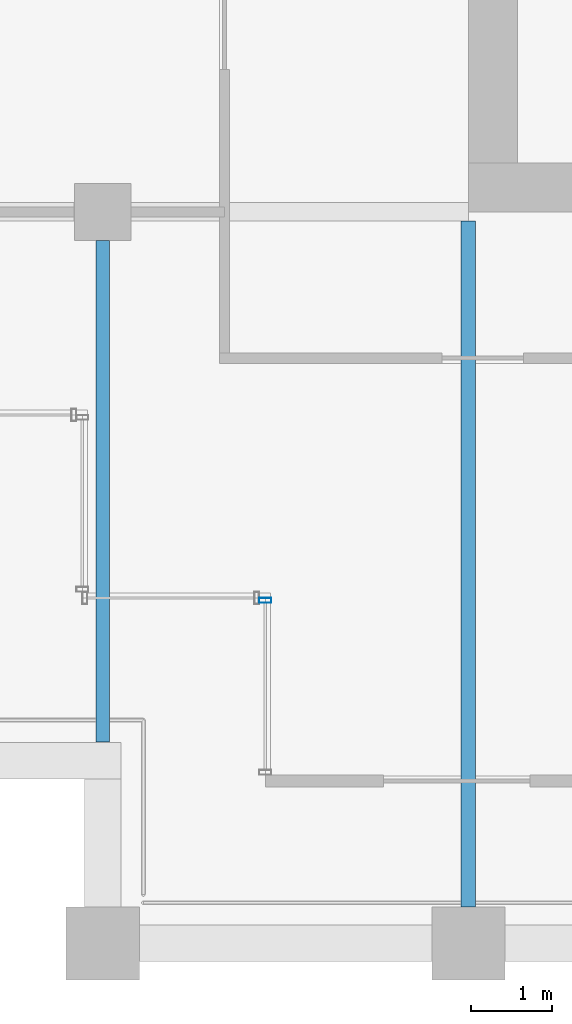
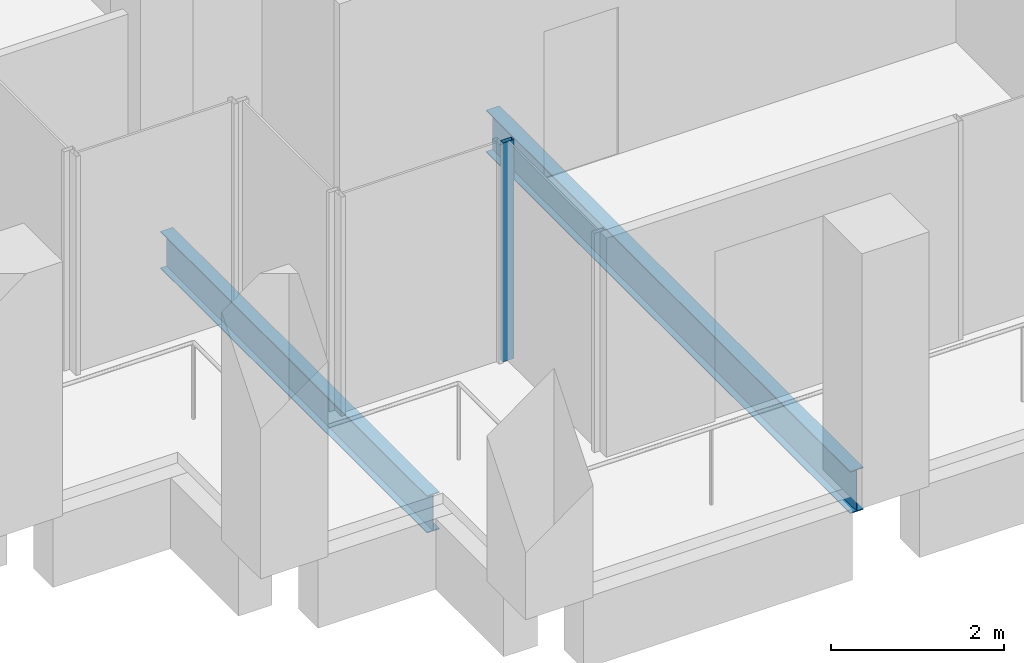
# One storey, part 29 of 40: 2 beams, 1 member, 1 element without a shape of its own.
"""IFC4 building model written with IfcOpenShell, lengths in metres."""

import ifcopenshell
import ifcopenshell.guid

model = None  # the IFC model being written
_history = None  # IfcOwnerHistory: only IFC2X3 demands one
_inside = {}  # id of a spatial element -> (the spatial element, [elements in it])
_under = {}  # id of a project, library or spatial element -> (it, [spatial elements below it])
_declared = {}  # id of a project -> (the project, [libraries it declares])
_typed = {}  # id of a type object -> (the type object, [elements of that type])
_made_of = {}  # id of a material, layer set ... -> (it, [elements and type objects made of it])


def new_model(schema):
    """Start an empty IFC model of exactly this schema.

    Asked for "IFC4X3", IfcOpenShell would pick the latest addendum, in which some entities
    have other attributes; the version numbers below select the first issue.
    IFC2X3 requires an IfcOwnerHistory on every rooted entity: one is made here for all.
    """
    global model, _history
    if schema == "IFC4X3":
        model = ifcopenshell.file(schema_version=(4, 3, 0, 0))
    else:
        model = ifcopenshell.file(schema=schema)
    _inside.clear()
    _under.clear()
    _declared.clear()
    _typed.clear()
    _made_of.clear()
    _history = None
    if model.schema == "IFC2X3":
        org = make("IfcOrganization", Name="unknown")
        user = make(
            "IfcPersonAndOrganization",
            ThePerson=make("IfcPerson", FamilyName="unknown"),
            TheOrganization=org,
        )
        app = make(
            "IfcApplication",
            ApplicationDeveloper=org,
            Version="unknown",
            ApplicationFullName="unknown",
            ApplicationIdentifier="unknown",
        )
        _history = make(
            "IfcOwnerHistory",
            OwningUser=user,
            OwningApplication=app,
            ChangeAction="ADDED",
            CreationDate=0,
        )
    return model


def make(cls, **values):
    """One entity of the class cls with the attributes given. An attribute that is None is left unset."""
    return model.create_entity(
        cls, **{name: value for name, value in values.items() if value is not None}
    )


def rooted(cls, **values):
    """An entity with a GlobalId (a new one), such as an element, a storey or a relation."""
    return make(cls, GlobalId=ifcopenshell.guid.new(), OwnerHistory=_history, **values)


def si_unit(unit_type, name, prefix=None):
    """IfcSIUnit, for example si_unit("LENGTHUNIT", "METRE", prefix="MILLI")."""
    return make("IfcSIUnit", UnitType=unit_type, Prefix=prefix, Name=name)


def assignment(units):
    """IfcUnitAssignment: the units of a project."""
    return None if units is None else make("IfcUnitAssignment", Units=units)


def point(xyz):
    """IfcCartesianPoint."""
    return None if xyz is None else make("IfcCartesianPoint", Coordinates=xyz)


def direction(xyz):
    """IfcDirection."""
    return None if xyz is None else make("IfcDirection", DirectionRatios=xyz)


def frame(location, z_axis=None, x_axis=None):
    """IfcAxis2Placement3D, a coordinate frame: its origin and axes. An axis left out is left unset."""
    return make(
        "IfcAxis2Placement3D",
        Location=point(location),
        Axis=direction(z_axis),
        RefDirection=direction(x_axis),
    )


def frame_2d(location, x_axis=None):
    """IfcAxis2Placement2D, a coordinate frame in the plane: its origin and x axis."""
    return make(
        "IfcAxis2Placement2D", Location=point(location), RefDirection=direction(x_axis)
    )


def origin():
    """The frame at (0, 0, 0) with its axes left unset."""
    return frame((0.0, 0.0, 0.0))


def origin_2d():
    """The frame at (0, 0) in the plane with its x axis left unset."""
    return frame_2d((0.0, 0.0))


def place(relative_to, where):
    """IfcLocalPlacement: puts the frame where relative to a parent placement (None: the world)."""
    return make(
        "IfcLocalPlacement", PlacementRelTo=relative_to, RelativePlacement=where
    )


def context(
    kind, dimensions, precision=None, world=None, true_north=None, identifier=None
):
    """IfcGeometricRepresentationContext, for example the 3D "Model" context."""
    return make(
        "IfcGeometricRepresentationContext",
        ContextIdentifier=identifier,
        ContextType=kind,
        CoordinateSpaceDimension=dimensions,
        Precision=precision,
        WorldCoordinateSystem=world,
        TrueNorth=true_north,
    )


def subcontext(parent, identifier, kind, view, scale=None):
    """IfcGeometricRepresentationSubContext, for example "Body" below "Model"."""
    return make(
        "IfcGeometricRepresentationSubContext",
        ContextIdentifier=identifier,
        ContextType=kind,
        ParentContext=parent,
        TargetScale=scale,
        TargetView=view,
    )


def project(units=None, contexts=None):
    """IfcProject with its units and contexts."""
    return rooted(
        "IfcProject",
        Name="project",
        RepresentationContexts=contexts,
        UnitsInContext=assignment(units),
    )


def spatial(cls, under=None, at=None, **own):
    """A site, building, storey or space (cls), placed at a placement, below another one or the project."""
    s = rooted(cls, ObjectPlacement=at, **own)
    if under is not None:
        _under.setdefault(under.id(), (under, []))[1].append(s)
    return s


def profile(cls, at=None, kind="AREA", **sizes):
    """A parametric profile (cls). Its sizes go by their IFC names, for example OverallWidth=200.0."""
    return make(cls, ProfileType=kind, Position=at, **sizes)


def hollow_rectangle(**sizes):
    """IfcRectangleHollowProfileDef."""
    return profile("IfcRectangleHollowProfileDef", **sizes)


def i_section(**sizes):
    """IfcIShapeProfileDef."""
    return profile("IfcIShapeProfileDef", **sizes)


def extrude(swept, where, along, depth):
    """IfcExtrudedAreaSolid: the profile swept, set in the frame where, extruded along a direction by depth."""
    return make(
        "IfcExtrudedAreaSolid",
        SweptArea=swept,
        Position=where,
        ExtrudedDirection=direction(along),
        Depth=depth,
    )


def shape(context_of_items, identifier, shape_type, items):
    """IfcShapeRepresentation: the items that make up one representation, for example the "Body"."""
    return make(
        "IfcShapeRepresentation",
        ContextOfItems=context_of_items,
        RepresentationIdentifier=identifier,
        RepresentationType=shape_type,
        Items=items,
    )


def material(Name=None, Category=None):
    """IfcMaterial."""
    return make("IfcMaterial", Name=Name, Category=Category)


def material_profile(
    of_material, cross_section, Name=None, Category=None, Priority=None
):
    """IfcMaterialProfile: a cross section and its material."""
    return make(
        "IfcMaterialProfile",
        Name=Name,
        Material=of_material,
        Profile=cross_section,
        Priority=Priority,
        Category=Category,
    )


def profile_set(profiles, Name=None, composite=None):
    """IfcMaterialProfileSet."""
    return make(
        "IfcMaterialProfileSet",
        Name=Name,
        MaterialProfiles=profiles,
        CompositeProfile=composite,
    )


def made_of(thing, what):
    """Note that an element or type object is made of a material, layer set ...; save() writes the relation."""
    if what is not None:
        _made_of.setdefault(what.id(), (what, []))[1].append(thing)
    return thing


def type_object(cls, material=None, **own):
    """A type object (cls), such as IfcWallType, which elements share."""
    return made_of(rooted(cls, **own), material)


def element(
    cls,
    number,
    at=None,
    inside=None,
    cuts=None,
    type_object=None,
    material=None,
    context=None,
    identifier="Body",
    shape_type=None,
    held_by="IfcProductDefinitionShape",
    body=None,
    shapes=None,
    **own,
):
    """One element of the class cls, such as IfcWall. Its Tag is "e" and its number.

    at: its placement. inside: the storey or other place that contains it. cuts: it is an
    opening in that element (IfcRelVoidsElement). A single representation is given by context,
    identifier, shape_type and body (its items); several are given by shapes. held_by: the class
    of the entity that holds the representations. save() writes the other relations.
    """
    e = rooted(cls, Tag="e%d" % number, ObjectPlacement=at, **own)
    if body is not None:
        shapes = [shape(context, identifier, shape_type, body)]
    if shapes is not None:
        e.Representation = make(held_by, Representations=shapes)
    if inside is not None:
        _inside.setdefault(inside.id(), (inside, []))[1].append(e)
    if cuts is not None:
        rooted(
            "IfcRelVoidsElement", RelatingBuildingElement=cuts, RelatedOpeningElement=e
        )
    if type_object is not None:
        _typed.setdefault(type_object.id(), (type_object, []))[1].append(e)
    return made_of(e, material)


def aggregate(whole, parts):
    """IfcRelAggregates: a whole, such as a stair, and the parts it consists of."""
    return rooted("IfcRelAggregates", RelatingObject=whole, RelatedObjects=parts)


def save(model, path):
    """Write the relations noted so far, then the file.

    IfcRelAggregates (storeys below a building ...), IfcRelContainedInSpatialStructure (elements
    in a storey), IfcRelDefinesByType, IfcRelAssociatesMaterial and IfcRelDeclares: one each for
    every whole, place, type object, material and project.
    """
    for whole, parts in _under.values():
        aggregate(whole, parts)
    for where, things in _inside.values():
        rooted(
            "IfcRelContainedInSpatialStructure",
            RelatedElements=things,
            RelatingStructure=where,
        )
    for kind, things in _typed.values():
        rooted("IfcRelDefinesByType", RelatedObjects=things, RelatingType=kind)
    for what, things in _made_of.values():
        rooted("IfcRelAssociatesMaterial", RelatedObjects=things, RelatingMaterial=what)
    for by, libraries in _declared.values():
        rooted("IfcRelDeclares", RelatingContext=by, RelatedDefinitions=libraries)
    model.write(path)


model = new_model("IFC4")

# Units and contexts
model_context = context("Model", 3, precision=1e-05, world=origin(), true_north=direction((0.0, 1.0)))
body_context = subcontext(model_context, "Body", "Model", "MODEL_VIEW")
ifc_project = project(units=[si_unit("LENGTHUNIT", "METRE"), si_unit("AREAUNIT", "SQUARE_METRE"), si_unit("VOLUMEUNIT", "CUBIC_METRE"), si_unit("PLANEANGLEUNIT", "RADIAN"), si_unit("MASSUNIT", "GRAM", prefix="KILO")], contexts=[model_context])

# Site, building, storey
site_placement = place(None, origin())
site = spatial("IfcSite", under=ifc_project, at=site_placement, CompositionType="ELEMENT")
building_placement = place(site_placement, origin())
building = spatial("IfcBuilding", under=site, at=building_placement, Name="Altepetl Exchange Towers", CompositionType="ELEMENT")
storey_placement = place(building_placement, frame((0.0, 0.0, 172.60009765625)))
storey = spatial("IfcBuildingStorey", under=building, at=storey_placement, Name="L43", CompositionType="ELEMENT", Elevation=172.60009765625)

# Beams
ifc_material_1 = material(Name="Steel S355", Category="steel")
ifc_material_profile_1 = material_profile(ifc_material_1, i_section(OverallWidth=0.166015625, OverallDepth=0.529052734375, WebThickness=0.009765625, FlangeThickness=0.013671875, at=origin_2d()), Name="W21X50")
ifc_profile_set_1 = profile_set([ifc_material_profile_1], Name="Steel S355")
beam_type_1 = type_object("IfcBeamType", Name="Floor beam W21X50", PredefinedType="BEAM", material=ifc_profile_set_1)
beam_1_placement = place(storey_placement, frame((99.0, 29.47509765625, -0.41455078125), z_axis=(0.0, 1.0, 0.0), x_axis=(-1.0, 0.0, 0.0)))
element("IfcBeam", 1, at=beam_1_placement, inside=storey, type_object=beam_type_1, Name="bm:B:L43:000", PredefinedType="BEAM", context=body_context, shape_type="SweptSolid", body=[
    extrude(i_section(OverallWidth=0.166015625, OverallDepth=0.529052734375, WebThickness=0.009765625, FlangeThickness=0.013671875, at=origin_2d()), origin(), (0.0, 0.0, 1.0), 6.1748046875),
])
ifc_material_profile_2 = material_profile(ifc_material_1, i_section(OverallWidth=0.177978515625, OverallDepth=0.59912109375, WebThickness=0.010009765625, FlangeThickness=0.0126953125, at=origin_2d()), Name="W24X55")
ifc_profile_set_2 = profile_set([ifc_material_profile_2], Name="Steel S355")
beam_type_2 = type_object("IfcBeamType", Name="Floor beam W24X55", PredefinedType="BEAM", material=ifc_profile_set_2)
beam_2_placement = place(storey_placement, frame((103.5, 27.449951171875, -0.44970703125), z_axis=(0.0, 1.0, 0.0), x_axis=(-1.0, 0.0, 0.0)))
element("IfcBeam", 2, at=beam_2_placement, inside=storey, type_object=beam_type_2, Name="bm:B:L43:001", PredefinedType="BEAM", context=body_context, shape_type="SweptSolid", body=[
    extrude(i_section(OverallWidth=0.177978515625, OverallDepth=0.59912109375, WebThickness=0.010009765625, FlangeThickness=0.0126953125, at=origin_2d()), origin(), (0.0, 0.0, 1.0), 8.43603515625),
])

# Curtain wall, member
ifc_material_2 = material(Name="Aluminium 6063-T6 glazing", Category="aluminium")
curtain_wall_type = type_object("IfcCurtainWallType", Name="Loggia glazing system", PredefinedType="NOTDEFINED", material=ifc_material_2)
curtain_wall_placement = place(storey_placement, origin())
curtain_wall = element("IfcCurtainWall", 3, at=curtain_wall_placement, inside=storey, type_object=curtain_wall_type, Name="CW1 run", PredefinedType="NOTDEFINED")
ifc_material_3 = material(Name="Aluminium 6063-T6", Category="aluminium")
ifc_material_profile_3 = material_profile(ifc_material_3, hollow_rectangle(XDim=0.06005859375, YDim=0.14990234375, WallThickness=0.0029296875, at=origin_2d()), Name="Mullion 60x150 aluminium")
ifc_profile_set_3 = profile_set([ifc_material_profile_3], Name="Aluminium 6063-T6")
member_type = type_object("IfcMemberType", Name="Mullion 60x150 aluminium", PredefinedType="MULLION", material=ifc_profile_set_3)
member_placement = place(storey_placement, frame((101.0, 31.219970703125, 0.0), z_axis=(0.0, 0.0, 1.0), x_axis=(0.0, -1.0, 0.0)))
member = element("IfcMember", 4, at=member_placement, type_object=member_type, Name="MU1 mullion", PredefinedType="MULLION", context=body_context, shape_type="SweptSolid", body=[
    extrude(hollow_rectangle(XDim=0.06005859375, YDim=0.14990234375, WallThickness=0.0029296875, at=origin_2d()), origin(), (0.0, 0.0, 1.0), 3.099853515625),
])
aggregate(curtain_wall, [member])

save(model, "model.ifc")
